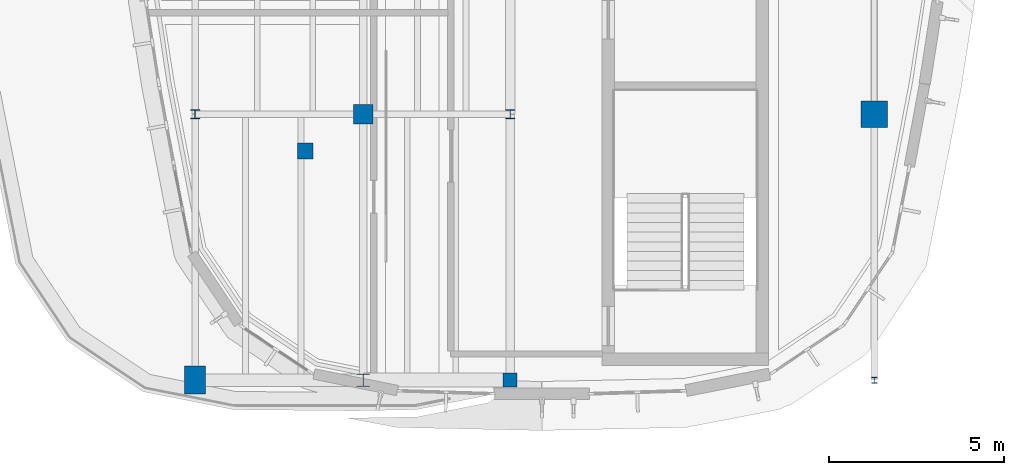
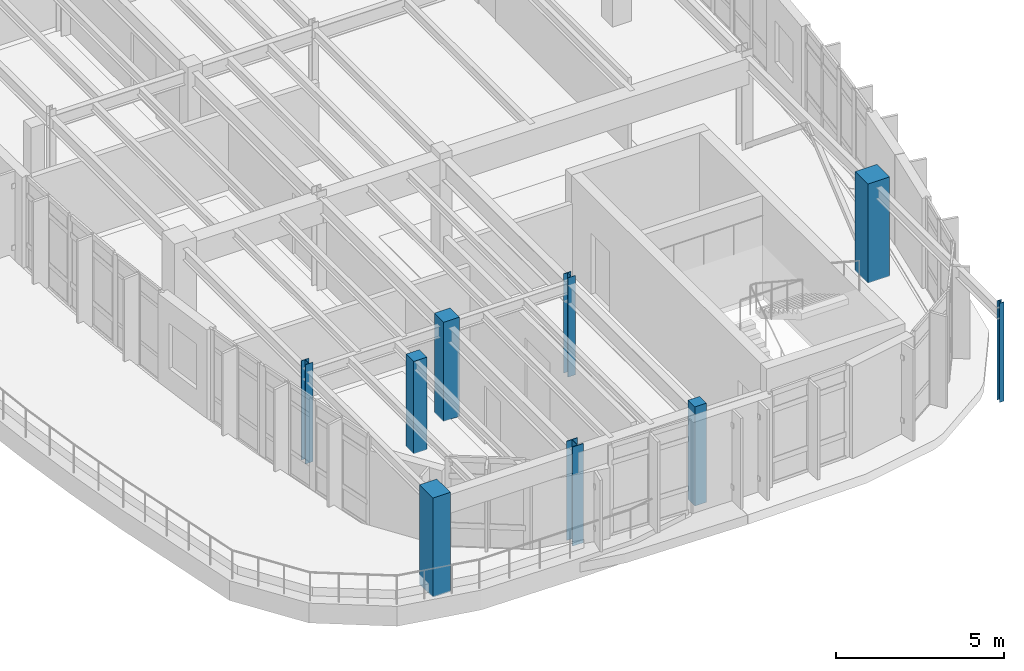
# One storey, part 1 of 20: 9 columns.
"""IFC4 building model written with IfcOpenShell, lengths in metres."""

from ifc_helpers import new_model, si_unit, direction, frame, origin, origin_2d, place, context, subcontext, project, spatial, rectangle, i_section, extrude, material, material_profile, profile_set, type_object, element, save


model = new_model("IFC4")

# Units and contexts
model_context = context("Model", 3, precision=1e-05, world=origin(), true_north=direction((0.0, 1.0)))
body_context = subcontext(model_context, "Body", "Model", "MODEL_VIEW")
ifc_project = project(units=[si_unit("LENGTHUNIT", "METRE"), si_unit("AREAUNIT", "SQUARE_METRE"), si_unit("VOLUMEUNIT", "CUBIC_METRE"), si_unit("PLANEANGLEUNIT", "RADIAN"), si_unit("MASSUNIT", "GRAM", prefix="KILO")], contexts=[model_context])

# Site, building, storey
site_placement = place(None, origin())
site = spatial("IfcSite", under=ifc_project, at=site_placement, CompositionType="ELEMENT")
building_placement = place(site_placement, origin())
building = spatial("IfcBuilding", under=site, at=building_placement, Name="Corveleigh Park Community Centre", CompositionType="ELEMENT")
storey_placement = place(building_placement, frame((0.0, 0.0, 16.199951171875)))
storey = spatial("IfcBuildingStorey", under=building, at=storey_placement, Name="L04", CompositionType="ELEMENT", Elevation=16.199951171875)

# Columns
ifc_material_1 = material(Name="Concrete C40/50", Category="concrete")
ifc_material_profile_1 = material_profile(ifc_material_1, rectangle(XDim=0.39990234375, YDim=0.39990234375, at=origin_2d()), Name="RC-400x400", Category="concrete")
ifc_profile_set_1 = profile_set([ifc_material_profile_1], Name="Concrete C40/50")
column_type_1 = type_object("IfcColumnType", Name="COL-RC-400x400", PredefinedType="COLUMN", material=ifc_profile_set_1)
column_1_placement = place(storey_placement, frame((158.0, 58.60009765625, 0.0), z_axis=(0.0, 0.0, 1.0), x_axis=(1.0, 0.0, 0.0)))
element("IfcColumn", 1, at=column_1_placement, inside=storey, type_object=column_type_1, Name="Column V4-X6Y0 L04", PredefinedType="COLUMN", context=body_context, shape_type="SweptSolid", body=[
    extrude(rectangle(XDim=0.39990234375, YDim=0.39990234375, at=origin_2d()), origin(), (0.0, 0.0, 1.0), 3.60009765625),
])
ifc_material_profile_2 = material_profile(ifc_material_1, rectangle(XDim=0.449951171875, YDim=0.449951171875, at=origin_2d()), Name="RC-450x450", Category="concrete")
ifc_profile_set_2 = profile_set([ifc_material_profile_2], Name="Concrete C40/50")
column_type_2 = type_object("IfcColumnType", Name="COL-RC-450x450", PredefinedType="COLUMN", material=ifc_profile_set_2)
column_2_placement = place(storey_placement, frame((152.14697265625, 65.14404296875, 0.0), z_axis=(0.0, 0.0, 1.0), x_axis=(1.0, 0.0, 0.0)))
element("IfcColumn", 2, at=column_2_placement, inside=storey, type_object=column_type_2, Name="External deck support pier 139 L04", PredefinedType="COLUMN", context=body_context, shape_type="SweptSolid", body=[
    extrude(rectangle(XDim=0.449951171875, YDim=0.449951171875, at=origin_2d()), origin(), (0.0, 0.0, 1.0), 3.35302734375),
])
ifc_material_profile_3 = material_profile(ifc_material_1, rectangle(XDim=0.550048828125, YDim=0.550048828125, at=origin_2d()), Name="RC-550x550", Category="concrete")
ifc_profile_set_3 = profile_set([ifc_material_profile_3], Name="Concrete C40/50")
column_type_3 = type_object("IfcColumnType", Name="COL-RC-550x550", PredefinedType="COLUMN", material=ifc_profile_set_3)
column_3_placement = place(storey_placement, frame((153.800048828125, 66.199951171875, 0.0), z_axis=(0.0, 0.0, 1.0), x_axis=(1.0, 0.0, 0.0)))
element("IfcColumn", 3, at=column_3_placement, inside=storey, type_object=column_type_3, Name="Column V4-X5Y1 L04", PredefinedType="COLUMN", context=body_context, shape_type="SweptSolid", body=[
    extrude(rectangle(XDim=0.550048828125, YDim=0.550048828125, at=origin_2d()), origin(), (0.0, 0.0, 1.0), 3.60009765625),
])
ifc_material_profile_4 = material_profile(ifc_material_1, rectangle(XDim=0.60009765625, YDim=0.800048828125, at=origin_2d()), Name="RC-600x800", Category="concrete")
ifc_profile_set_4 = profile_set([ifc_material_profile_4], Name="Concrete C40/50")
column_type_4 = type_object("IfcColumnType", Name="COL-RC-600x800", PredefinedType="COLUMN", material=ifc_profile_set_4)
column_4_placement = place(storey_placement, frame((149.0, 58.60009765625, 0.0), z_axis=(0.0, 0.0, 1.0), x_axis=(1.0, 0.0, 0.0)))
element("IfcColumn", 4, at=column_4_placement, inside=storey, type_object=column_type_4, Name="Column V4-X4Y0 L04", PredefinedType="COLUMN", context=body_context, shape_type="SweptSolid", body=[
    extrude(rectangle(XDim=0.60009765625, YDim=0.800048828125, at=origin_2d()), origin(), (0.0, 0.0, 1.0), 3.60009765625),
])
ifc_material_profile_5 = material_profile(ifc_material_1, rectangle(XDim=0.75, YDim=0.75, at=origin_2d()), Name="RC-750x750", Category="concrete")
ifc_profile_set_5 = profile_set([ifc_material_profile_5], Name="Concrete C40/50")
column_type_5 = type_object("IfcColumnType", Name="COL-RC-750x750", PredefinedType="COLUMN", material=ifc_profile_set_5)
column_5_placement = place(storey_placement, frame((168.39990234375, 66.199951171875, 0.0), z_axis=(0.0, 0.0, 1.0), x_axis=(1.0, 0.0, 0.0)))
element("IfcColumn", 5, at=column_5_placement, inside=storey, type_object=column_type_5, Name="Column V4-X7Y1 L04", PredefinedType="COLUMN", context=body_context, shape_type="SweptSolid", body=[
    extrude(rectangle(XDim=0.75, YDim=0.75, at=origin_2d()), origin(), (0.0, 0.0, 1.0), 3.60009765625),
])
ifc_material_2 = material(Name="Steel S355", Category="steel")
ifc_material_profile_6 = material_profile(ifc_material_2, i_section(OverallWidth=0.154296875, OverallDepth=0.161865234375, WebThickness=0.008056640625, FlangeThickness=0.011474609375, at=origin_2d()), Name="UKC 152x152x37", Category="steel")
ifc_profile_set_6 = profile_set([ifc_material_profile_6], Name="Steel S355")
column_type_6 = type_object("IfcColumnType", Name="COL-STL-UKC152x37", PredefinedType="COLUMN", material=ifc_profile_set_6)
column_6_placement = place(storey_placement, frame((168.39990234375, 58.60009765625, 0.0), z_axis=(0.0, 0.0, 1.0), x_axis=(1.0, 0.0, 0.0)))
element("IfcColumn", 6, at=column_6_placement, inside=storey, type_object=column_type_6, Name="Column V4-X7Y0 L04", PredefinedType="COLUMN", context=body_context, shape_type="SweptSolid", body=[
    extrude(i_section(OverallWidth=0.154296875, OverallDepth=0.161865234375, WebThickness=0.008056640625, FlangeThickness=0.011474609375, at=origin_2d()), origin(), (0.0, 0.0, 1.0), 3.60009765625),
])
ifc_material_profile_7 = material_profile(ifc_material_2, i_section(OverallWidth=0.254638671875, OverallDepth=0.254150390625, WebThickness=0.008544921875, FlangeThickness=0.01416015625, at=origin_2d()), Name="UKC 254x254x73", Category="steel")
ifc_profile_set_7 = profile_set([ifc_material_profile_7], Name="Steel S355")
column_type_7 = type_object("IfcColumnType", Name="COL-STL-UKC254x73", PredefinedType="COLUMN", material=ifc_profile_set_7)
column_7_placement = place(storey_placement, frame((149.0, 66.199951171875, 0.0), z_axis=(0.0, 0.0, 1.0), x_axis=(1.0, 0.0, 0.0)))
element("IfcColumn", 7, at=column_7_placement, inside=storey, type_object=column_type_7, Name="Column V4-X4Y1 L04", PredefinedType="COLUMN", context=body_context, shape_type="SweptSolid", body=[
    extrude(i_section(OverallWidth=0.254638671875, OverallDepth=0.254150390625, WebThickness=0.008544921875, FlangeThickness=0.01416015625, at=origin_2d()), origin(), (0.0, 0.0, 1.0), 3.60009765625),
])
ifc_material_profile_8 = material_profile(ifc_material_2, i_section(OverallWidth=0.25634765625, OverallDepth=0.26025390625, WebThickness=0.01025390625, FlangeThickness=0.017333984375, at=origin_2d()), Name="UKC 254x254x89", Category="steel")
ifc_profile_set_8 = profile_set([ifc_material_profile_8], Name="Steel S355")
column_type_8 = type_object("IfcColumnType", Name="COL-STL-UKC254x89", PredefinedType="COLUMN", material=ifc_profile_set_8)
column_8_placement = place(storey_placement, frame((158.0, 66.199951171875, 0.0), z_axis=(0.0, 0.0, 1.0), x_axis=(1.0, 0.0, 0.0)))
element("IfcColumn", 8, at=column_8_placement, inside=storey, type_object=column_type_8, Name="Column V4-X6Y1 L04", PredefinedType="COLUMN", context=body_context, shape_type="SweptSolid", body=[
    extrude(i_section(OverallWidth=0.25634765625, OverallDepth=0.26025390625, WebThickness=0.01025390625, FlangeThickness=0.017333984375, at=origin_2d()), origin(), (0.0, 0.0, 1.0), 3.60009765625),
])
ifc_material_profile_9 = material_profile(ifc_material_2, i_section(OverallWidth=0.37255859375, OverallDepth=0.3681640625, WebThickness=0.014404296875, FlangeThickness=0.023681640625, at=origin_2d()), Name="UKC 356x368x177", Category="steel")
ifc_profile_set_9 = profile_set([ifc_material_profile_9], Name="Steel S355")
column_type_9 = type_object("IfcColumnType", Name="COL-STL-UKC356x177", PredefinedType="COLUMN", material=ifc_profile_set_9)
column_9_placement = place(storey_placement, frame((153.800048828125, 58.60009765625, 0.0), z_axis=(0.0, 0.0, 1.0), x_axis=(1.0, 0.0, 0.0)))
element("IfcColumn", 9, at=column_9_placement, inside=storey, type_object=column_type_9, Name="Column V4-X5Y0 L04", PredefinedType="COLUMN", context=body_context, shape_type="SweptSolid", body=[
    extrude(i_section(OverallWidth=0.37255859375, OverallDepth=0.3681640625, WebThickness=0.014404296875, FlangeThickness=0.023681640625, at=origin_2d()), origin(), (0.0, 0.0, 1.0), 3.60009765625),
])

save(model, "model.ifc")
